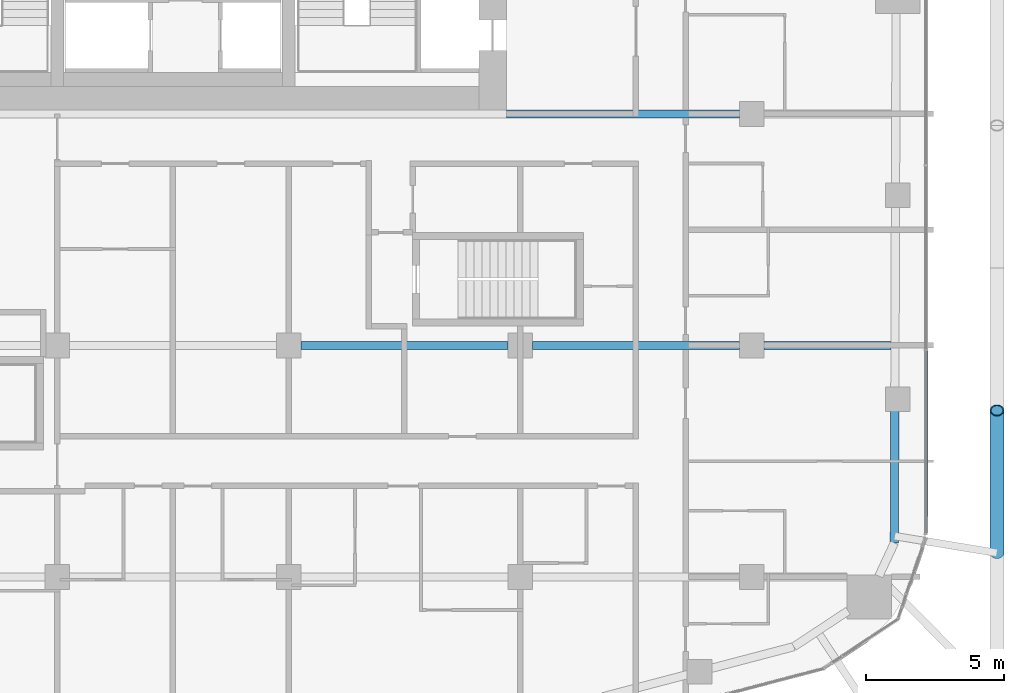
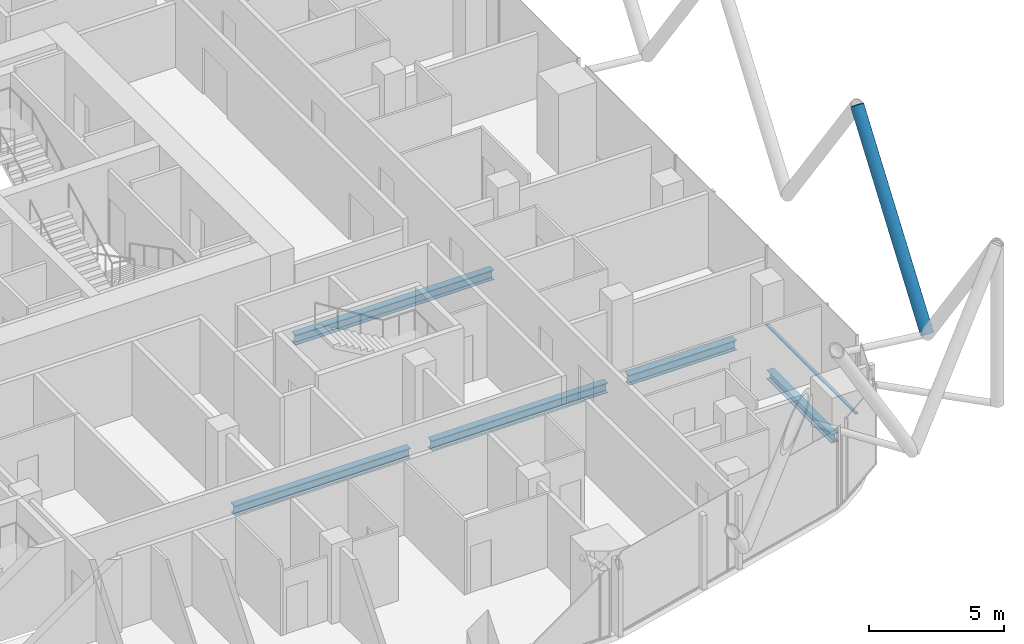
# One storey, part 7 of 36: 5 beams, 2 members, 1 element without a shape of its own.
"""IFC4 building model written with IfcOpenShell, lengths in metres."""

import ifcopenshell
import ifcopenshell.guid

model = None  # the IFC model being written
_history = None  # IfcOwnerHistory: only IFC2X3 demands one
_inside = {}  # id of a spatial element -> (the spatial element, [elements in it])
_under = {}  # id of a project, library or spatial element -> (it, [spatial elements below it])
_declared = {}  # id of a project -> (the project, [libraries it declares])
_typed = {}  # id of a type object -> (the type object, [elements of that type])
_made_of = {}  # id of a material, layer set ... -> (it, [elements and type objects made of it])


def new_model(schema):
    """Start an empty IFC model of exactly this schema.

    Asked for "IFC4X3", IfcOpenShell would pick the latest addendum, in which some entities
    have other attributes; the version numbers below select the first issue.
    IFC2X3 requires an IfcOwnerHistory on every rooted entity: one is made here for all.
    """
    global model, _history
    if schema == "IFC4X3":
        model = ifcopenshell.file(schema_version=(4, 3, 0, 0))
    else:
        model = ifcopenshell.file(schema=schema)
    _inside.clear()
    _under.clear()
    _declared.clear()
    _typed.clear()
    _made_of.clear()
    _history = None
    if model.schema == "IFC2X3":
        org = make("IfcOrganization", Name="unknown")
        user = make(
            "IfcPersonAndOrganization",
            ThePerson=make("IfcPerson", FamilyName="unknown"),
            TheOrganization=org,
        )
        app = make(
            "IfcApplication",
            ApplicationDeveloper=org,
            Version="unknown",
            ApplicationFullName="unknown",
            ApplicationIdentifier="unknown",
        )
        _history = make(
            "IfcOwnerHistory",
            OwningUser=user,
            OwningApplication=app,
            ChangeAction="ADDED",
            CreationDate=0,
        )
    return model


def make(cls, **values):
    """One entity of the class cls with the attributes given. An attribute that is None is left unset."""
    return model.create_entity(
        cls, **{name: value for name, value in values.items() if value is not None}
    )


def rooted(cls, **values):
    """An entity with a GlobalId (a new one), such as an element, a storey or a relation."""
    return make(cls, GlobalId=ifcopenshell.guid.new(), OwnerHistory=_history, **values)


def si_unit(unit_type, name, prefix=None):
    """IfcSIUnit, for example si_unit("LENGTHUNIT", "METRE", prefix="MILLI")."""
    return make("IfcSIUnit", UnitType=unit_type, Prefix=prefix, Name=name)


def assignment(units):
    """IfcUnitAssignment: the units of a project."""
    return None if units is None else make("IfcUnitAssignment", Units=units)


def point(xyz):
    """IfcCartesianPoint."""
    return None if xyz is None else make("IfcCartesianPoint", Coordinates=xyz)


def direction(xyz):
    """IfcDirection."""
    return None if xyz is None else make("IfcDirection", DirectionRatios=xyz)


def frame(location, z_axis=None, x_axis=None):
    """IfcAxis2Placement3D, a coordinate frame: its origin and axes. An axis left out is left unset."""
    return make(
        "IfcAxis2Placement3D",
        Location=point(location),
        Axis=direction(z_axis),
        RefDirection=direction(x_axis),
    )


def frame_2d(location, x_axis=None):
    """IfcAxis2Placement2D, a coordinate frame in the plane: its origin and x axis."""
    return make(
        "IfcAxis2Placement2D", Location=point(location), RefDirection=direction(x_axis)
    )


def origin():
    """The frame at (0, 0, 0) with its axes left unset."""
    return frame((0.0, 0.0, 0.0))


def origin_2d():
    """The frame at (0, 0) in the plane with its x axis left unset."""
    return frame_2d((0.0, 0.0))


def place(relative_to, where):
    """IfcLocalPlacement: puts the frame where relative to a parent placement (None: the world)."""
    return make(
        "IfcLocalPlacement", PlacementRelTo=relative_to, RelativePlacement=where
    )


def context(
    kind, dimensions, precision=None, world=None, true_north=None, identifier=None
):
    """IfcGeometricRepresentationContext, for example the 3D "Model" context."""
    return make(
        "IfcGeometricRepresentationContext",
        ContextIdentifier=identifier,
        ContextType=kind,
        CoordinateSpaceDimension=dimensions,
        Precision=precision,
        WorldCoordinateSystem=world,
        TrueNorth=true_north,
    )


def subcontext(parent, identifier, kind, view, scale=None):
    """IfcGeometricRepresentationSubContext, for example "Body" below "Model"."""
    return make(
        "IfcGeometricRepresentationSubContext",
        ContextIdentifier=identifier,
        ContextType=kind,
        ParentContext=parent,
        TargetScale=scale,
        TargetView=view,
    )


def project(units=None, contexts=None):
    """IfcProject with its units and contexts."""
    return rooted(
        "IfcProject",
        Name="project",
        RepresentationContexts=contexts,
        UnitsInContext=assignment(units),
    )


def spatial(cls, under=None, at=None, **own):
    """A site, building, storey or space (cls), placed at a placement, below another one or the project."""
    s = rooted(cls, ObjectPlacement=at, **own)
    if under is not None:
        _under.setdefault(under.id(), (under, []))[1].append(s)
    return s


def profile(cls, at=None, kind="AREA", **sizes):
    """A parametric profile (cls). Its sizes go by their IFC names, for example OverallWidth=200.0."""
    return make(cls, ProfileType=kind, Position=at, **sizes)


def rectangle(**sizes):
    """IfcRectangleProfileDef."""
    return profile("IfcRectangleProfileDef", **sizes)


def hollow_circle(**sizes):
    """IfcCircleHollowProfileDef."""
    return profile("IfcCircleHollowProfileDef", **sizes)


def i_section(**sizes):
    """IfcIShapeProfileDef."""
    return profile("IfcIShapeProfileDef", **sizes)


def extrude(swept, where, along, depth):
    """IfcExtrudedAreaSolid: the profile swept, set in the frame where, extruded along a direction by depth."""
    return make(
        "IfcExtrudedAreaSolid",
        SweptArea=swept,
        Position=where,
        ExtrudedDirection=direction(along),
        Depth=depth,
    )


def shape(context_of_items, identifier, shape_type, items):
    """IfcShapeRepresentation: the items that make up one representation, for example the "Body"."""
    return make(
        "IfcShapeRepresentation",
        ContextOfItems=context_of_items,
        RepresentationIdentifier=identifier,
        RepresentationType=shape_type,
        Items=items,
    )


def material(Name=None, Category=None):
    """IfcMaterial."""
    return make("IfcMaterial", Name=Name, Category=Category)


def layer(
    of_material, thickness, ventilated=None, Name=None, Category=None, Priority=None
):
    """IfcMaterialLayer: one layer of a wall or slab, of a material (None: an air gap)."""
    return make(
        "IfcMaterialLayer",
        Material=of_material,
        LayerThickness=thickness,
        IsVentilated=ventilated,
        Name=Name,
        Category=Category,
        Priority=Priority,
    )


def layer_set(layers, Name=None):
    """IfcMaterialLayerSet."""
    return make("IfcMaterialLayerSet", MaterialLayers=layers, LayerSetName=Name)


def material_profile(
    of_material, cross_section, Name=None, Category=None, Priority=None
):
    """IfcMaterialProfile: a cross section and its material."""
    return make(
        "IfcMaterialProfile",
        Name=Name,
        Material=of_material,
        Profile=cross_section,
        Priority=Priority,
        Category=Category,
    )


def profile_set(profiles, Name=None, composite=None):
    """IfcMaterialProfileSet."""
    return make(
        "IfcMaterialProfileSet",
        Name=Name,
        MaterialProfiles=profiles,
        CompositeProfile=composite,
    )


def made_of(thing, what):
    """Note that an element or type object is made of a material, layer set ...; save() writes the relation."""
    if what is not None:
        _made_of.setdefault(what.id(), (what, []))[1].append(thing)
    return thing


def type_object(cls, material=None, **own):
    """A type object (cls), such as IfcWallType, which elements share."""
    return made_of(rooted(cls, **own), material)


def element(
    cls,
    number,
    at=None,
    inside=None,
    cuts=None,
    type_object=None,
    material=None,
    context=None,
    identifier="Body",
    shape_type=None,
    held_by="IfcProductDefinitionShape",
    body=None,
    shapes=None,
    **own,
):
    """One element of the class cls, such as IfcWall. Its Tag is "e" and its number.

    at: its placement. inside: the storey or other place that contains it. cuts: it is an
    opening in that element (IfcRelVoidsElement). A single representation is given by context,
    identifier, shape_type and body (its items); several are given by shapes. held_by: the class
    of the entity that holds the representations. save() writes the other relations.
    """
    e = rooted(cls, Tag="e%d" % number, ObjectPlacement=at, **own)
    if body is not None:
        shapes = [shape(context, identifier, shape_type, body)]
    if shapes is not None:
        e.Representation = make(held_by, Representations=shapes)
    if inside is not None:
        _inside.setdefault(inside.id(), (inside, []))[1].append(e)
    if cuts is not None:
        rooted(
            "IfcRelVoidsElement", RelatingBuildingElement=cuts, RelatedOpeningElement=e
        )
    if type_object is not None:
        _typed.setdefault(type_object.id(), (type_object, []))[1].append(e)
    return made_of(e, material)


def aggregate(whole, parts):
    """IfcRelAggregates: a whole, such as a stair, and the parts it consists of."""
    return rooted("IfcRelAggregates", RelatingObject=whole, RelatedObjects=parts)


def save(model, path):
    """Write the relations noted so far, then the file.

    IfcRelAggregates (storeys below a building ...), IfcRelContainedInSpatialStructure (elements
    in a storey), IfcRelDefinesByType, IfcRelAssociatesMaterial and IfcRelDeclares: one each for
    every whole, place, type object, material and project.
    """
    for whole, parts in _under.values():
        aggregate(whole, parts)
    for where, things in _inside.values():
        rooted(
            "IfcRelContainedInSpatialStructure",
            RelatedElements=things,
            RelatingStructure=where,
        )
    for kind, things in _typed.values():
        rooted("IfcRelDefinesByType", RelatedObjects=things, RelatingType=kind)
    for what, things in _made_of.values():
        rooted("IfcRelAssociatesMaterial", RelatedObjects=things, RelatingMaterial=what)
    for by, libraries in _declared.values():
        rooted("IfcRelDeclares", RelatingContext=by, RelatedDefinitions=libraries)
    model.write(path)


model = new_model("IFC4")

# Units and contexts
model_context = context("Model", 3, precision=1e-05, world=origin(), true_north=direction((0.0, 1.0)))
body_context = subcontext(model_context, "Body", "Model", "MODEL_VIEW")
ifc_project = project(units=[si_unit("LENGTHUNIT", "METRE"), si_unit("AREAUNIT", "SQUARE_METRE"), si_unit("VOLUMEUNIT", "CUBIC_METRE"), si_unit("PLANEANGLEUNIT", "RADIAN"), si_unit("MASSUNIT", "GRAM", prefix="KILO")], contexts=[model_context])

# Site, building, storey
site_placement = place(None, origin())
site = spatial("IfcSite", under=ifc_project, at=site_placement, CompositionType="ELEMENT")
building_placement = place(site_placement, origin())
building = spatial("IfcBuilding", under=site, at=building_placement, Name="Marenta Gate Hotel Tower", CompositionType="ELEMENT")
storey_placement = place(building_placement, frame((0.0, 0.0, 130.10009765625)))
storey = spatial("IfcBuildingStorey", under=building, at=storey_placement, Name="L29", CompositionType="ELEMENT", Elevation=130.10009765625)

# Member
ifc_material_1 = material(Name="Steel S355J2W", Category="steel")
ifc_material_profile_1 = material_profile(ifc_material_1, hollow_circle(Radius=0.25390625, WallThickness=0.0400390625, at=origin_2d()), Name="CHS 508x40")
ifc_profile_set_1 = profile_set([ifc_material_profile_1], Name="Steel S355J2W")
member_type_1 = type_object("IfcMemberType", Name="Diagrid diagonal Z2 CHS 508x40", PredefinedType="BRACE", material=ifc_profile_set_1)
member_1_placement = place(storey_placement, frame((29.89990234375, -15.93017578125, 3.139892578125), z_axis=(0.0, 0.583279014058, 0.812271870595), x_axis=(-1.0, 0.0, 0.0)))
element("IfcMember", 1, at=member_1_placement, inside=storey, type_object=member_type_1, Name="L29-DG-9", PredefinedType="BRACE", context=body_context, shape_type="SweptSolid", body=[
    extrude(hollow_circle(Radius=0.25390625, WallThickness=0.0400390625, at=origin_2d()), origin(), (0.0, 0.0, 1.0), 8.864013671875),
])

# Beams
ifc_material_2 = material(Name="Steel S355", Category="steel")
ifc_material_profile_2 = material_profile(ifc_material_2, i_section(OverallWidth=0.300048828125, OverallDepth=0.39990234375, WebThickness=0.013427734375, FlangeThickness=0.02392578125, FilletRadius=0.027099609375, at=origin_2d()), Name="HEB 400")
ifc_profile_set_2 = profile_set([ifc_material_profile_2], Name="Steel S355")
beam_type_1 = type_object("IfcBeamType", Name="Edge beam HEB 400", PredefinedType="SPANDREL", material=ifc_profile_set_2)
beam_1_placement = place(storey_placement, frame((26.191162109375, -10.761962890625, -0.460205078125), z_axis=(-0.003353298899, -0.999994377677, 0.0), x_axis=(0.999994377677, -0.003353298899, 0.0)))
element("IfcBeam", 2, at=beam_1_placement, inside=storey, type_object=beam_type_1, Name="L29-EB-27", PredefinedType="SPANDREL", context=body_context, shape_type="SweptSolid", body=[
    extrude(i_section(OverallWidth=0.300048828125, OverallDepth=0.39990234375, WebThickness=0.013427734375, FlangeThickness=0.02392578125, FilletRadius=0.027099609375, at=origin_2d()), origin(), (0.0, 0.0, 1.0), 4.80517578125),
])
ifc_material_3 = material(Name="Steel S355", Category="steel")
ifc_material_profile_3 = material_profile(ifc_material_3, i_section(OverallWidth=0.300048828125, OverallDepth=0.449951171875, WebThickness=0.013916015625, FlangeThickness=0.02587890625, FilletRadius=0.027099609375, at=origin_2d()), Name="HEB 450")
ifc_profile_set_3 = profile_set([ifc_material_profile_3], Name="Steel S355")
beam_type_2 = type_object("IfcBeamType", Name="Girder HEB 450", PredefinedType="BEAM", material=ifc_profile_set_3)
for number, where, z_axis, x_axis, name in (
    (3, (4.64990234375, -8.39990234375, -0.485107421875), (1.0, 0.0, 0.0), (0.0, 1.0, 0.0), "L29-GD-12"),
    (4, (13.050048828125, -8.39990234375, -0.485107421875), (1.0, 0.0, 0.0), (0.0, 1.0, 0.0), "L29-GD-13"),
):
    element("IfcBeam", number, at=place(storey_placement, frame(where, z_axis=z_axis, x_axis=x_axis)), inside=storey, type_object=beam_type_2, Name=name, PredefinedType="BEAM", context=body_context, shape_type="SweptSolid", body=[
        extrude(i_section(OverallWidth=0.300048828125, OverallDepth=0.449951171875, WebThickness=0.013916015625, FlangeThickness=0.02587890625, FilletRadius=0.027099609375, at=origin_2d()), origin(), (0.0, 0.0, 1.0), 7.5),
    ])
beam_2_placement = place(storey_placement, frame((21.449951171875, -8.39990234375, -0.485107421875), z_axis=(1.0, 0.0, 0.0), x_axis=(0.0, 1.0, 0.0)))
element("IfcBeam", 5, at=beam_2_placement, inside=storey, type_object=beam_type_2, Name="L29-GD-14", PredefinedType="BEAM", context=body_context, shape_type="SweptSolid", body=[
    extrude(i_section(OverallWidth=0.300048828125, OverallDepth=0.449951171875, WebThickness=0.013916015625, FlangeThickness=0.02587890625, FilletRadius=0.027099609375, at=origin_2d()), origin(), (0.0, 0.0, 1.0), 4.59912109375),
])
beam_3_placement = place(storey_placement, frame((12.10009765625, 0.0, -0.485107421875), z_axis=(1.0, 0.0, 0.0), x_axis=(0.0, 1.0, 0.0)))
element("IfcBeam", 6, at=beam_3_placement, inside=storey, type_object=beam_type_2, Name="L29-GD-18", PredefinedType="BEAM", context=body_context, shape_type="SweptSolid", body=[
    extrude(i_section(OverallWidth=0.300048828125, OverallDepth=0.449951171875, WebThickness=0.013916015625, FlangeThickness=0.02587890625, FilletRadius=0.027099609375, at=origin_2d()), origin(), (0.0, 0.0, 1.0), 8.449951171875),
])

# Curtain wall, member
ifc_material_4 = material(Name="Tinted insulated glass in bronze anodised frame", Category="glass")
ifc_layer = layer(ifc_material_4, 0.1201171875)
ifc_layer_set = layer_set([ifc_layer], Name="Tinted insulated glass in bronze anodised frame")
curtain_wall_type = type_object("IfcCurtainWallType", Name="Tower unitised curtain wall CW1", PredefinedType="NOTDEFINED", material=ifc_layer_set)
curtain_wall_placement = place(storey_placement, origin())
curtain_wall = element("IfcCurtainWall", 7, at=curtain_wall_placement, inside=storey, type_object=curtain_wall_type, Name="CW1 run G33", PredefinedType="NOTDEFINED")
ifc_material_5 = material(Name="Bronze anodised aluminium", Category="aluminium")
ifc_material_profile_4 = material_profile(ifc_material_5, rectangle(XDim=0.1201171875, YDim=0.06005859375, at=origin_2d()), Name="Transom CW1 60x120 bronze anodised aluminium")
ifc_profile_set_4 = profile_set([ifc_material_profile_4], Name="Bronze anodised aluminium")
member_type_2 = type_object("IfcMemberType", Name="Transom CW1 60x120 bronze anodised aluminium", PredefinedType="USERDEFINED", material=ifc_profile_set_4)
member_2_placement = place(storey_placement, frame((27.31396484375, -15.21484375, 0.02978515625), z_axis=(0.0, 1.0, 0.0), x_axis=(-1.0, 0.0, 0.0)))
member_2 = element("IfcMember", 8, at=member_2_placement, type_object=member_type_2, Name="CW1 transom 1.1", ObjectType="TRANSOM", PredefinedType="USERDEFINED", context=body_context, shape_type="SweptSolid", body=[
    extrude(rectangle(XDim=0.1201171875, YDim=0.06005859375, at=origin_2d()), origin(), (0.0, 0.0, 1.0), 6.6171875),
])
aggregate(curtain_wall, [member_2])

save(model, "model.ifc")
